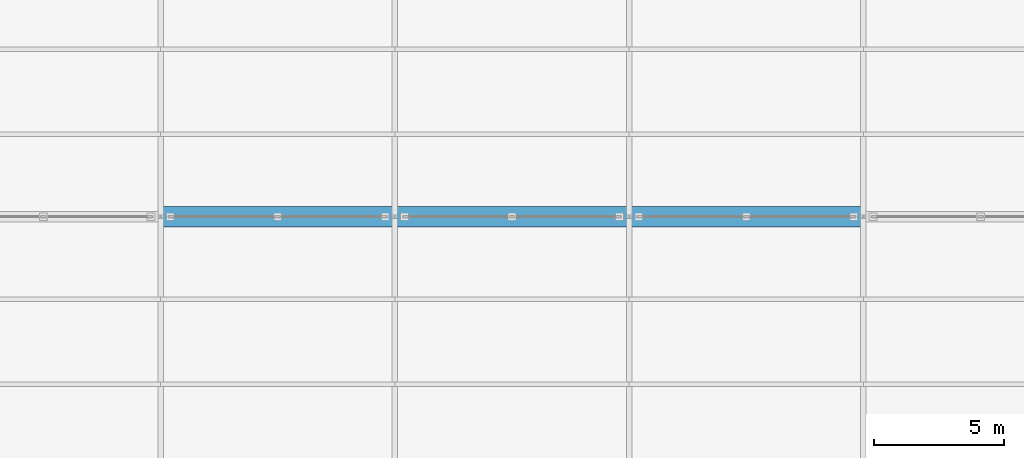
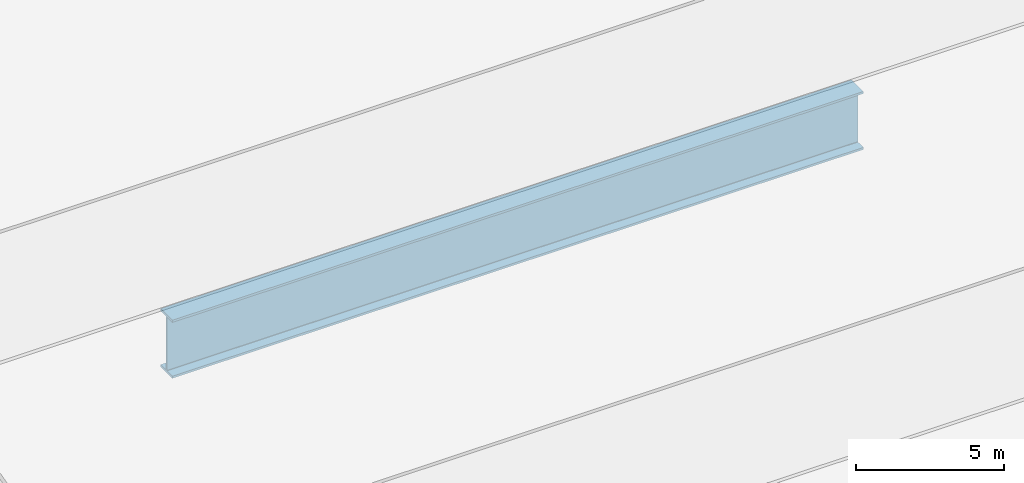
# One storey, part 5 of 36: 1 beam.
"""IFC4 building model written with IfcOpenShell, lengths in metres."""

from ifc_helpers import new_model, si_unit, direction, frame, origin, origin_2d, place, context, subcontext, project, spatial, i_section, extrude, material, material_profile, profile_set, type_object, element, save


model = new_model("IFC4")

# Units and contexts
model_context = context("Model", 3, precision=1e-05, world=origin(), true_north=direction((0.0, 1.0)))
body_context = subcontext(model_context, "Body", "Model", "MODEL_VIEW")
ifc_project = project(units=[si_unit("LENGTHUNIT", "METRE"), si_unit("AREAUNIT", "SQUARE_METRE"), si_unit("VOLUMEUNIT", "CUBIC_METRE"), si_unit("PLANEANGLEUNIT", "RADIAN"), si_unit("MASSUNIT", "GRAM", prefix="KILO")], contexts=[model_context])

# Site, building, storey
site_placement = place(None, origin())
site = spatial("IfcSite", under=ifc_project, at=site_placement, CompositionType="ELEMENT")
building_placement = place(site_placement, origin())
building = spatial("IfcBuilding", under=site, at=building_placement, Name="Qorvath Tower", CompositionType="ELEMENT")
storey_placement = place(building_placement, frame((0.0, 0.0, 27.0)))
storey = spatial("IfcBuildingStorey", under=building, at=storey_placement, Name="L05", CompositionType="ELEMENT", Elevation=27.0)

# Beam
ifc_material = material(Name="Steel ASTM A572 Grade 50", Category="steel")
ifc_material_profile = material_profile(ifc_material, i_section(OverallWidth=0.800048828125, OverallDepth=2.39990234375, WebThickness=0.044921875, FlangeThickness=0.090087890625, FilletRadius=0.02490234375, at=origin_2d()), Name="WTG 2400x800")
ifc_profile_set = profile_set([ifc_material_profile], Name="Steel ASTM A572 Grade 50")
beam_type = type_object("IfcBeamType", Name="BM-TG2", PredefinedType="BEAM", material=ifc_profile_set)
beam_placement = place(storey_placement, frame((41.39990234375, -9.60009765625, 0.8935546875), z_axis=(1.0, 0.0, 0.0), x_axis=(0.0, 1.0, 0.0)))
element("IfcBeam", 1, at=beam_placement, inside=storey, type_object=beam_type, Name="Library Reading Hall Clear-Span Roof Girder 4-C", PredefinedType="BEAM", context=body_context, shape_type="SweptSolid", body=[
    extrude(i_section(OverallWidth=0.800048828125, OverallDepth=2.39990234375, WebThickness=0.044921875, FlangeThickness=0.090087890625, FilletRadius=0.02490234375, at=origin_2d()), origin(), (0.0, 0.0, 1.0), 27.0),
])

save(model, "model.ifc")
